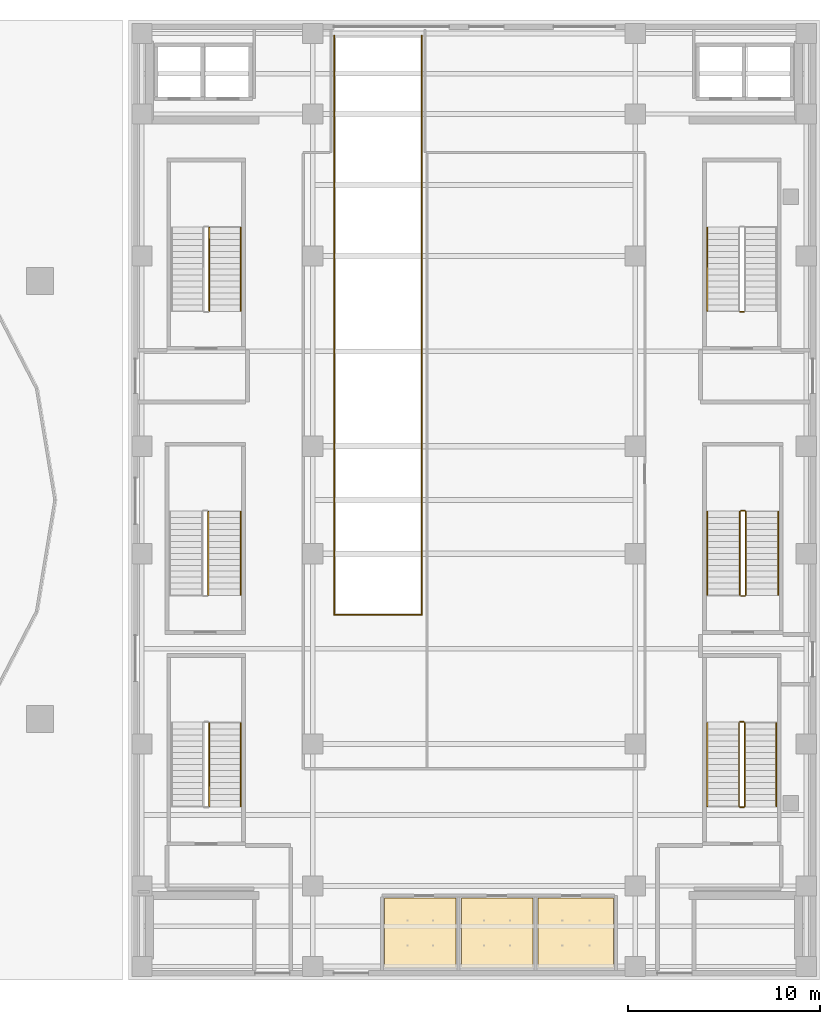
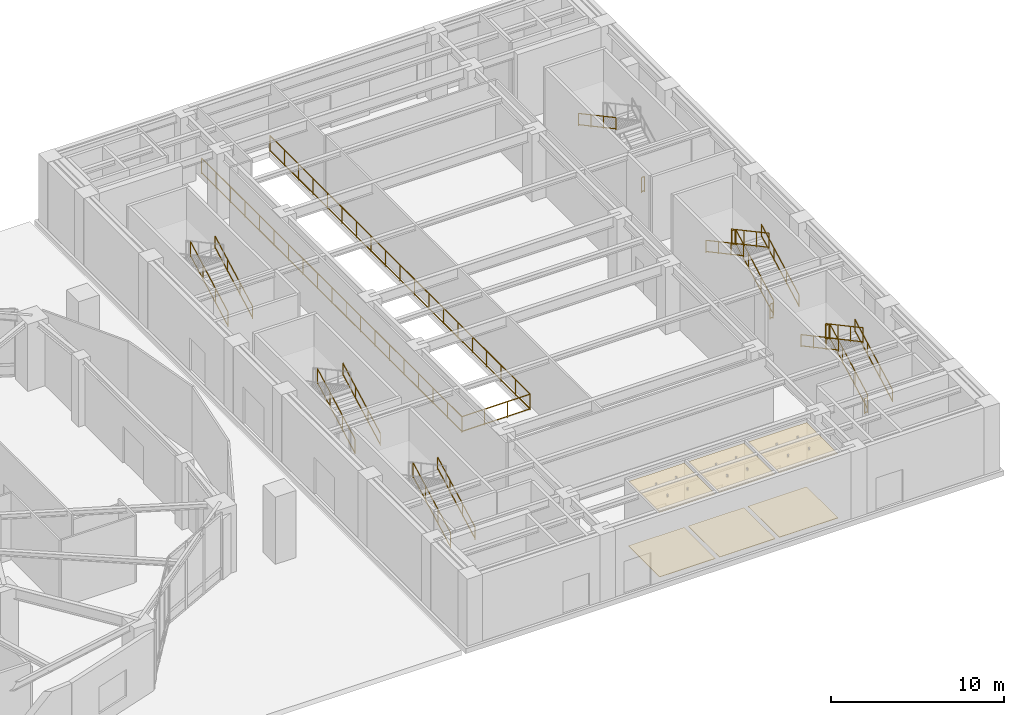
# One storey, part 21 of 23: 23 railings, 6 coverings.
"""IFC4 building model written with IfcOpenShell, lengths in metres."""

from ifc_helpers import new_model, si_unit, direction, frame, origin, origin_2d, place, context, subcontext, project, spatial, polyline, rectangle, outline, extrude, material, layer, layer_set, type_object, element, save


model = new_model("IFC4")

# Units and contexts
model_context = context("Model", 3, precision=1e-05, world=origin(), true_north=direction((0.0, 1.0)))
body_context = subcontext(model_context, "Body", "Model", "MODEL_VIEW")
ifc_project = project(units=[si_unit("LENGTHUNIT", "METRE"), si_unit("AREAUNIT", "SQUARE_METRE"), si_unit("VOLUMEUNIT", "CUBIC_METRE"), si_unit("PLANEANGLEUNIT", "RADIAN"), si_unit("MASSUNIT", "GRAM", prefix="KILO")], contexts=[model_context])

# Site, building, storey
site_placement = place(None, origin())
site = spatial("IfcSite", under=ifc_project, at=site_placement, CompositionType="ELEMENT")
building_placement = place(site_placement, origin())
building = spatial("IfcBuilding", under=site, at=building_placement, Name="Kolvaren Gate Tower and Convention Centre", CompositionType="ELEMENT")
storey_placement = place(building_placement, origin())
storey = spatial("IfcBuildingStorey", under=building, at=storey_placement, Name="L00", CompositionType="ELEMENT", Elevation=0.0)

# Coverings
ifc_material_1 = material(Name="Perforated Mineral-Fibre Acoustic Ceiling Tile 18 mm", Category="gypsum")
ifc_layer_1 = layer(ifc_material_1, 0.01806640625)
ifc_layer_set_1 = layer_set([ifc_layer_1], Name="Perforated Mineral-Fibre Acoustic Ceiling Tile 18 mm")
covering_type_1 = type_object("IfcCoveringType", Name="ARCH-COV-CEIL-18", PredefinedType="CEILING", material=ifc_layer_set_1)
covering_1_placement = place(storey_placement, frame((0.0, 0.0, 4.56005859375)))
element("IfcCovering", 1, at=covering_1_placement, inside=storey, type_object=covering_type_1, Name="Convention L00 Delegate Male Restroom Acoustic Suspended Ceiling", PredefinedType="CEILING", context=body_context, shape_type="SweptSolid", body=[
    extrude(outline(polyline([(75.340087890625, 6.260009765625), (79.06005859375, 6.260009765625), (79.06005859375, 2.639892578125), (75.340087890625, 2.639892578125), (75.340087890625, 6.260009765625)])), origin(), (0.0, 0.0, 1.0), 0.017822265625),
])
covering_2_placement = place(storey_placement, frame((0.0, 0.0, 4.56005859375)))
element("IfcCovering", 2, at=covering_2_placement, inside=storey, type_object=covering_type_1, Name="Convention L00 Accessible Restroom Acoustic Suspended Ceiling", PredefinedType="CEILING", context=body_context, shape_type="SweptSolid", body=[
    extrude(outline(polyline([(79.340087890625, 6.260009765625), (83.06005859375, 6.260009765625), (83.06005859375, 2.639892578125), (79.340087890625, 2.639892578125), (79.340087890625, 6.260009765625)])), origin(), (0.0, 0.0, 1.0), 0.017822265625),
])
covering_3_placement = place(storey_placement, frame((0.0, 0.0, 4.56005859375)))
element("IfcCovering", 3, at=covering_3_placement, inside=storey, type_object=covering_type_1, Name="Convention L00 Delegate Female Restroom Acoustic Suspended Ceiling", PredefinedType="CEILING", context=body_context, shape_type="SweptSolid", body=[
    extrude(outline(polyline([(83.340087890625, 6.260009765625), (87.260009765625, 6.260009765625), (87.260009765625, 2.639892578125), (83.340087890625, 2.639892578125), (83.340087890625, 6.260009765625)])), origin(), (0.0, 0.0, 1.0), 0.017822265625),
])
ifc_material_2 = material(Name="Honed Sabana Limestone Terrazzo Flooring 30 mm", Category="masonry")
ifc_layer_2 = layer(ifc_material_2, 0.030029296875)
ifc_layer_set_2 = layer_set([ifc_layer_2], Name="Honed Sabana Limestone Terrazzo Flooring 30 mm")
covering_type_2 = type_object("IfcCoveringType", Name="ARCH-COV-FLR-30", PredefinedType="FLOORING", material=ifc_layer_set_2)
covering_4_placement = place(storey_placement, origin())
element("IfcCovering", 4, at=covering_4_placement, inside=storey, type_object=covering_type_2, Name="Convention L00 Delegate Male Restroom Interior Finish Flooring", PredefinedType="FLOORING", context=body_context, shape_type="SweptSolid", body=[
    extrude(outline(polyline([(75.340087890625, 6.260009765625), (79.06005859375, 6.260009765625), (79.06005859375, 2.639892578125), (75.340087890625, 2.639892578125), (75.340087890625, 6.260009765625)])), origin(), (0.0, 0.0, 1.0), 0.030029296875),
])
covering_5_placement = place(storey_placement, origin())
element("IfcCovering", 5, at=covering_5_placement, inside=storey, type_object=covering_type_2, Name="Convention L00 Accessible Restroom Interior Finish Flooring", PredefinedType="FLOORING", context=body_context, shape_type="SweptSolid", body=[
    extrude(outline(polyline([(79.340087890625, 6.260009765625), (83.06005859375, 6.260009765625), (83.06005859375, 2.639892578125), (79.340087890625, 2.639892578125), (79.340087890625, 6.260009765625)])), origin(), (0.0, 0.0, 1.0), 0.030029296875),
])
covering_6_placement = place(storey_placement, origin())
element("IfcCovering", 6, at=covering_6_placement, inside=storey, type_object=covering_type_2, Name="Convention L00 Delegate Female Restroom Interior Finish Flooring", PredefinedType="FLOORING", context=body_context, shape_type="SweptSolid", body=[
    extrude(outline(polyline([(83.340087890625, 6.260009765625), (87.260009765625, 6.260009765625), (87.260009765625, 2.639892578125), (83.340087890625, 2.639892578125), (83.340087890625, 6.260009765625)])), origin(), (0.0, 0.0, 1.0), 0.030029296875),
])

# Railings
ifc_material_3 = material(Name="Brushed Stainless Steel Grade 316L", Category="steel")
railing_type_1 = type_object("IfcRailingType", Name="ARCH-RL-GUARD-1150", PredefinedType="GUARDRAIL", material=ifc_material_3)
for number, where, name in (
    (7, (66.199951171875, 36.85009765625, 0.166748046875), "L00 ST-C1 stair guard 1"),
    (8, (66.199951171875, 11.050048828125, 0.166748046875), "L00 ST-C2 stair guard 1"),
):
    element("IfcRailing", number, at=place(storey_placement, frame(where)), inside=storey, type_object=railing_type_1, Name=name, PredefinedType="GUARDRAIL", context=body_context, shape_type="SweptSolid", body=[
        extrude(rectangle(XDim=0.048095703125, YDim=0.048095703125, at=origin_2d()), frame((0.0, 0.0, 1.076171875), z_axis=(0.0, 0.8807748016, 0.47353537235), x_axis=(-1.0, 0.0, 0.0)), (0.0, 0.0, 1.0), 4.92724609375),
        extrude(rectangle(XDim=0.048095703125, YDim=0.048095703125, at=origin_2d()), frame((0.0, 0.0, 0.083984375), z_axis=(0.0, 0.8807748016, 0.47353537235), x_axis=(-1.0, 0.0, 0.0)), (0.0, 0.0, 1.0), 4.92724609375),
        extrude(rectangle(XDim=0.0419921875, YDim=0.0419921875, at=origin_2d()), origin(), (0.0, 0.0, 1.0), 1.050048828125),
        extrude(rectangle(XDim=0.0419921875, YDim=0.0419921875, at=origin_2d()), frame((0.0, 4.33984375, 2.333251953125)), (0.0, 0.0, 1.0), 1.050048828125),
        extrude(rectangle(XDim=0.0419921875, YDim=0.0419921875, at=origin_2d()), frame((0.0, 1.446533203125, 0.77783203125)), (0.0, 0.0, 1.0), 1.050048828125),
        extrude(rectangle(XDim=0.0419921875, YDim=0.0419921875, at=origin_2d()), frame((0.0, 2.893310546875, 1.555419921875)), (0.0, 0.0, 1.0), 1.050048828125),
    ])
railing_1_placement = place(storey_placement, frame((94.050048828125, 36.800048828125, 0.0)))
element("IfcRailing", 9, at=railing_1_placement, inside=storey, type_object=railing_type_1, Name="L00 ST-C3 stair guard 4", PredefinedType="GUARDRAIL", context=body_context, shape_type="SweptSolid", body=[
    extrude(rectangle(XDim=0.048095703125, YDim=0.048095703125, at=origin_2d()), frame((0.0, 0.0, 1.076171875), z_axis=(-1.0, 0.0, 0.0), x_axis=(0.0, -1.0, 0.0)), (0.0, 0.0, 1.0), 0.199951171875),
    extrude(rectangle(XDim=0.048095703125, YDim=0.048095703125, at=origin_2d()), frame((0.0, 0.0, 0.083984375), z_axis=(-1.0, 0.0, 0.0), x_axis=(0.0, -1.0, 0.0)), (0.0, 0.0, 1.0), 0.199951171875),
    extrude(rectangle(XDim=0.0419921875, YDim=0.0419921875, at=origin_2d()), origin(), (0.0, 0.0, 1.0), 1.050048828125),
    extrude(rectangle(XDim=0.0419921875, YDim=0.0419921875, at=origin_2d()), frame((-0.199951171875, 0.0, 0.0)), (0.0, 0.0, 1.0), 1.050048828125),
])
railing_2_placement = place(storey_placement, frame((94.10009765625, 11.050048828125, 0.166748046875)))
element("IfcRailing", 10, at=railing_2_placement, inside=storey, type_object=railing_type_1, Name="L00 ST-C4 stair guard 1", PredefinedType="GUARDRAIL", context=body_context, shape_type="SweptSolid", body=[
    extrude(rectangle(XDim=0.048095703125, YDim=0.048095703125, at=origin_2d()), frame((0.0, 0.0, 1.076171875), z_axis=(0.0, 0.8807748016, 0.47353537235), x_axis=(-1.0, 0.0, 0.0)), (0.0, 0.0, 1.0), 4.92724609375),
    extrude(rectangle(XDim=0.048095703125, YDim=0.048095703125, at=origin_2d()), frame((0.0, 0.0, 0.083984375), z_axis=(0.0, 0.8807748016, 0.47353537235), x_axis=(-1.0, 0.0, 0.0)), (0.0, 0.0, 1.0), 4.92724609375),
    extrude(rectangle(XDim=0.0419921875, YDim=0.0419921875, at=origin_2d()), origin(), (0.0, 0.0, 1.0), 1.050048828125),
    extrude(rectangle(XDim=0.0419921875, YDim=0.0419921875, at=origin_2d()), frame((0.0, 4.33984375, 2.333251953125)), (0.0, 0.0, 1.0), 1.050048828125),
    extrude(rectangle(XDim=0.0419921875, YDim=0.0419921875, at=origin_2d()), frame((0.0, 1.446533203125, 0.77783203125)), (0.0, 0.0, 1.0), 1.050048828125),
    extrude(rectangle(XDim=0.0419921875, YDim=0.0419921875, at=origin_2d()), frame((0.0, 2.893310546875, 1.555419921875)), (0.0, 0.0, 1.0), 1.050048828125),
])
railing_3_placement = place(storey_placement, frame((94.050048828125, 15.43994140625, 2.5)))
element("IfcRailing", 11, at=railing_3_placement, inside=storey, type_object=railing_type_1, Name="L00 ST-C4 stair guard 2", PredefinedType="GUARDRAIL", context=body_context, shape_type="SweptSolid", body=[
    extrude(rectangle(XDim=0.048095703125, YDim=0.048095703125, at=origin_2d()), frame((0.0, 0.0, 1.076171875), z_axis=(-1.0, 0.0, 0.0), x_axis=(0.0, -1.0, 0.0)), (0.0, 0.0, 1.0), 0.199951171875),
    extrude(rectangle(XDim=0.048095703125, YDim=0.048095703125, at=origin_2d()), frame((0.0, 0.0, 0.083984375), z_axis=(-1.0, 0.0, 0.0), x_axis=(0.0, -1.0, 0.0)), (0.0, 0.0, 1.0), 0.199951171875),
    extrude(rectangle(XDim=0.0419921875, YDim=0.0419921875, at=origin_2d()), origin(), (0.0, 0.0, 1.0), 1.050048828125),
    extrude(rectangle(XDim=0.0419921875, YDim=0.0419921875, at=origin_2d()), frame((-0.199951171875, 0.0, 0.0)), (0.0, 0.0, 1.0), 1.050048828125),
])
railing_4_placement = place(storey_placement, frame((93.800048828125, 15.389892578125, 2.666748046875)))
element("IfcRailing", 12, at=railing_4_placement, inside=storey, type_object=railing_type_1, Name="L00 ST-C4 stair guard 3", PredefinedType="GUARDRAIL", context=body_context, shape_type="SweptSolid", body=[
    extrude(rectangle(XDim=0.048095703125, YDim=0.048095703125, at=origin_2d()), frame((0.0, 0.0, 1.076171875), z_axis=(0.0, -0.8807748016, 0.47353537235), x_axis=(1.0, 0.0, 0.0)), (0.0, 0.0, 1.0), 4.92724609375),
    extrude(rectangle(XDim=0.048095703125, YDim=0.048095703125, at=origin_2d()), frame((0.0, 0.0, 0.083984375), z_axis=(0.0, -0.8807748016, 0.47353537235), x_axis=(1.0, 0.0, 0.0)), (0.0, 0.0, 1.0), 4.92724609375),
    extrude(rectangle(XDim=0.0419921875, YDim=0.0419921875, at=origin_2d()), origin(), (0.0, 0.0, 1.0), 1.050048828125),
    extrude(rectangle(XDim=0.0419921875, YDim=0.0419921875, at=origin_2d()), frame((0.0, -4.33984375, 2.333251953125)), (0.0, 0.0, 1.0), 1.050048828125),
    extrude(rectangle(XDim=0.0419921875, YDim=0.0419921875, at=origin_2d()), frame((0.0, -1.446533203125, 0.77783203125)), (0.0, 0.0, 1.0), 1.050048828125),
    extrude(rectangle(XDim=0.0419921875, YDim=0.0419921875, at=origin_2d()), frame((0.0, -2.893310546875, 1.555419921875)), (0.0, 0.0, 1.0), 1.050048828125),
])
railing_5_placement = place(storey_placement, frame((94.050048828125, 11.0, 0.0)))
element("IfcRailing", 13, at=railing_5_placement, inside=storey, type_object=railing_type_1, Name="L00 ST-C4 stair guard 4", PredefinedType="GUARDRAIL", context=body_context, shape_type="SweptSolid", body=[
    extrude(rectangle(XDim=0.048095703125, YDim=0.048095703125, at=origin_2d()), frame((0.0, 0.0, 1.076171875), z_axis=(-1.0, 0.0, 0.0), x_axis=(0.0, -1.0, 0.0)), (0.0, 0.0, 1.0), 0.199951171875),
    extrude(rectangle(XDim=0.048095703125, YDim=0.048095703125, at=origin_2d()), frame((0.0, 0.0, 0.083984375), z_axis=(-1.0, 0.0, 0.0), x_axis=(0.0, -1.0, 0.0)), (0.0, 0.0, 1.0), 0.199951171875),
    extrude(rectangle(XDim=0.0419921875, YDim=0.0419921875, at=origin_2d()), origin(), (0.0, 0.0, 1.0), 1.050048828125),
    extrude(rectangle(XDim=0.0419921875, YDim=0.0419921875, at=origin_2d()), frame((-0.199951171875, 0.0, 0.0)), (0.0, 0.0, 1.0), 1.050048828125),
])
for number, where, name in (
    (14, (66.14990234375, 22.050048828125, 0.166748046875), "L00 ST-C5 stair guard 1"),
    (15, (94.14990234375, 22.050048828125, 0.166748046875), "L00 ST-C6 stair guard 1"),
):
    element("IfcRailing", number, at=place(storey_placement, frame(where)), inside=storey, type_object=railing_type_1, Name=name, PredefinedType="GUARDRAIL", context=body_context, shape_type="SweptSolid", body=[
        extrude(rectangle(XDim=0.048095703125, YDim=0.048095703125, at=origin_2d()), frame((0.0, 0.0, 1.076171875), z_axis=(0.0, 0.8807748016, 0.47353537235), x_axis=(-1.0, 0.0, 0.0)), (0.0, 0.0, 1.0), 4.92724609375),
        extrude(rectangle(XDim=0.048095703125, YDim=0.048095703125, at=origin_2d()), frame((0.0, 0.0, 0.083984375), z_axis=(0.0, 0.8807748016, 0.47353537235), x_axis=(-1.0, 0.0, 0.0)), (0.0, 0.0, 1.0), 4.92724609375),
        extrude(rectangle(XDim=0.0419921875, YDim=0.0419921875, at=origin_2d()), origin(), (0.0, 0.0, 1.0), 1.050048828125),
        extrude(rectangle(XDim=0.0419921875, YDim=0.0419921875, at=origin_2d()), frame((0.0, 4.33984375, 2.333251953125)), (0.0, 0.0, 1.0), 1.050048828125),
        extrude(rectangle(XDim=0.0419921875, YDim=0.0419921875, at=origin_2d()), frame((0.0, 1.446533203125, 0.77783203125)), (0.0, 0.0, 1.0), 1.050048828125),
        extrude(rectangle(XDim=0.0419921875, YDim=0.0419921875, at=origin_2d()), frame((0.0, 2.893310546875, 1.555419921875)), (0.0, 0.0, 1.0), 1.050048828125),
    ])
railing_6_placement = place(storey_placement, frame((94.10009765625, 26.43994140625, 2.5)))
element("IfcRailing", 16, at=railing_6_placement, inside=storey, type_object=railing_type_1, Name="L00 ST-C6 stair guard 2", PredefinedType="GUARDRAIL", context=body_context, shape_type="SweptSolid", body=[
    extrude(rectangle(XDim=0.048095703125, YDim=0.048095703125, at=origin_2d()), frame((0.0, 0.0, 1.076171875), z_axis=(-1.0, 0.0, 0.0), x_axis=(0.0, -1.0, 0.0)), (0.0, 0.0, 1.0), 0.2001953125),
    extrude(rectangle(XDim=0.048095703125, YDim=0.048095703125, at=origin_2d()), frame((0.0, 0.0, 0.083984375), z_axis=(-1.0, 0.0, 0.0), x_axis=(0.0, -1.0, 0.0)), (0.0, 0.0, 1.0), 0.2001953125),
    extrude(rectangle(XDim=0.0419921875, YDim=0.0419921875, at=origin_2d()), origin(), (0.0, 0.0, 1.0), 1.050048828125),
    extrude(rectangle(XDim=0.0419921875, YDim=0.0419921875, at=origin_2d()), frame((-0.2001953125, 0.0, 0.0)), (0.0, 0.0, 1.0), 1.050048828125),
])
railing_7_placement = place(storey_placement, frame((93.85009765625, 26.389892578125, 2.666748046875)))
element("IfcRailing", 17, at=railing_7_placement, inside=storey, type_object=railing_type_1, Name="L00 ST-C6 stair guard 3", PredefinedType="GUARDRAIL", context=body_context, shape_type="SweptSolid", body=[
    extrude(rectangle(XDim=0.048095703125, YDim=0.048095703125, at=origin_2d()), frame((0.0, 0.0, 1.076171875), z_axis=(0.0, -0.8807748016, 0.47353537235), x_axis=(1.0, 0.0, 0.0)), (0.0, 0.0, 1.0), 4.92724609375),
    extrude(rectangle(XDim=0.048095703125, YDim=0.048095703125, at=origin_2d()), frame((0.0, 0.0, 0.083984375), z_axis=(0.0, -0.8807748016, 0.47353537235), x_axis=(1.0, 0.0, 0.0)), (0.0, 0.0, 1.0), 4.92724609375),
    extrude(rectangle(XDim=0.0419921875, YDim=0.0419921875, at=origin_2d()), origin(), (0.0, 0.0, 1.0), 1.050048828125),
    extrude(rectangle(XDim=0.0419921875, YDim=0.0419921875, at=origin_2d()), frame((0.0, -4.33984375, 2.333251953125)), (0.0, 0.0, 1.0), 1.050048828125),
    extrude(rectangle(XDim=0.0419921875, YDim=0.0419921875, at=origin_2d()), frame((0.0, -1.446533203125, 0.77783203125)), (0.0, 0.0, 1.0), 1.050048828125),
    extrude(rectangle(XDim=0.0419921875, YDim=0.0419921875, at=origin_2d()), frame((0.0, -2.893310546875, 1.555419921875)), (0.0, 0.0, 1.0), 1.050048828125),
])
railing_8_placement = place(storey_placement, frame((94.10009765625, 22.0, 0.0)))
element("IfcRailing", 18, at=railing_8_placement, inside=storey, type_object=railing_type_1, Name="L00 ST-C6 stair guard 4", PredefinedType="GUARDRAIL", context=body_context, shape_type="SweptSolid", body=[
    extrude(rectangle(XDim=0.048095703125, YDim=0.048095703125, at=origin_2d()), frame((0.0, 0.0, 1.076171875), z_axis=(-1.0, 0.0, 0.0), x_axis=(0.0, -1.0, 0.0)), (0.0, 0.0, 1.0), 0.2001953125),
    extrude(rectangle(XDim=0.048095703125, YDim=0.048095703125, at=origin_2d()), frame((0.0, 0.0, 0.083984375), z_axis=(-1.0, 0.0, 0.0), x_axis=(0.0, -1.0, 0.0)), (0.0, 0.0, 1.0), 0.2001953125),
    extrude(rectangle(XDim=0.0419921875, YDim=0.0419921875, at=origin_2d()), origin(), (0.0, 0.0, 1.0), 1.050048828125),
    extrude(rectangle(XDim=0.0419921875, YDim=0.0419921875, at=origin_2d()), frame((-0.2001953125, 0.0, 0.0)), (0.0, 0.0, 1.0), 1.050048828125),
])
railing_9_placement = place(storey_placement, frame((72.719970703125, 21.02001953125, 0.0)))
element("IfcRailing", 19, at=railing_9_placement, inside=storey, type_object=railing_type_1, Name="Basement B1 to Ground Car Park Vehicle Ramp Slab R1 Floor Opening Perimeter Guardrail 1", PredefinedType="GUARDRAIL", context=body_context, shape_type="SweptSolid", body=[
    extrude(rectangle(XDim=0.048095703125, YDim=0.048095703125, at=origin_2d()), frame((0.0, 0.0, 1.1259765625), z_axis=(0.0, 1.0, 0.0), x_axis=(-1.0, 0.0, 0.0)), (0.0, 0.0, 1.0), 30.159912109375),
    extrude(rectangle(XDim=0.048095703125, YDim=0.048095703125, at=origin_2d()), frame((0.0, 0.0, 0.083984375), z_axis=(0.0, 1.0, 0.0), x_axis=(-1.0, 0.0, 0.0)), (0.0, 0.0, 1.0), 30.159912109375),
    extrude(rectangle(XDim=0.0419921875, YDim=0.0419921875, at=origin_2d()), origin(), (0.0, 0.0, 1.0), 1.099853515625),
    extrude(rectangle(XDim=0.0419921875, YDim=0.0419921875, at=origin_2d()), frame((0.0, 30.159912109375, 0.0)), (0.0, 0.0, 1.0), 1.099853515625),
    extrude(rectangle(XDim=0.0419921875, YDim=0.0419921875, at=origin_2d()), frame((0.0, 1.675537109375, 0.0)), (0.0, 0.0, 1.0), 1.099853515625),
    extrude(rectangle(XDim=0.0419921875, YDim=0.0419921875, at=origin_2d()), frame((0.0, 3.35107421875, 0.0)), (0.0, 0.0, 1.0), 1.099853515625),
    extrude(rectangle(XDim=0.0419921875, YDim=0.0419921875, at=origin_2d()), frame((0.0, 5.026611328125, 0.0)), (0.0, 0.0, 1.0), 1.099853515625),
    extrude(rectangle(XDim=0.0419921875, YDim=0.0419921875, at=origin_2d()), frame((0.0, 6.7021484375, 0.0)), (0.0, 0.0, 1.0), 1.099853515625),
    extrude(rectangle(XDim=0.0419921875, YDim=0.0419921875, at=origin_2d()), frame((0.0, 8.377685546875, 0.0)), (0.0, 0.0, 1.0), 1.099853515625),
    extrude(rectangle(XDim=0.0419921875, YDim=0.0419921875, at=origin_2d()), frame((0.0, 10.05322265625, 0.0)), (0.0, 0.0, 1.0), 1.099853515625),
    extrude(rectangle(XDim=0.0419921875, YDim=0.0419921875, at=origin_2d()), frame((0.0, 11.728759765625, 0.0)), (0.0, 0.0, 1.0), 1.099853515625),
    extrude(rectangle(XDim=0.0419921875, YDim=0.0419921875, at=origin_2d()), frame((0.0, 13.404296875, 0.0)), (0.0, 0.0, 1.0), 1.099853515625),
    extrude(rectangle(XDim=0.0419921875, YDim=0.0419921875, at=origin_2d()), frame((0.0, 15.080078125, 0.0)), (0.0, 0.0, 1.0), 1.099853515625),
    extrude(rectangle(XDim=0.0419921875, YDim=0.0419921875, at=origin_2d()), frame((0.0, 16.755615234375, 0.0)), (0.0, 0.0, 1.0), 1.099853515625),
    extrude(rectangle(XDim=0.0419921875, YDim=0.0419921875, at=origin_2d()), frame((0.0, 18.43115234375, 0.0)), (0.0, 0.0, 1.0), 1.099853515625),
    extrude(rectangle(XDim=0.0419921875, YDim=0.0419921875, at=origin_2d()), frame((0.0, 20.106689453125, 0.0)), (0.0, 0.0, 1.0), 1.099853515625),
    extrude(rectangle(XDim=0.0419921875, YDim=0.0419921875, at=origin_2d()), frame((0.0, 21.7822265625, 0.0)), (0.0, 0.0, 1.0), 1.099853515625),
    extrude(rectangle(XDim=0.0419921875, YDim=0.0419921875, at=origin_2d()), frame((0.0, 23.457763671875, 0.0)), (0.0, 0.0, 1.0), 1.099853515625),
    extrude(rectangle(XDim=0.0419921875, YDim=0.0419921875, at=origin_2d()), frame((0.0, 25.13330078125, 0.0)), (0.0, 0.0, 1.0), 1.099853515625),
    extrude(rectangle(XDim=0.0419921875, YDim=0.0419921875, at=origin_2d()), frame((0.0, 26.808837890625, 0.0)), (0.0, 0.0, 1.0), 1.099853515625),
    extrude(rectangle(XDim=0.0419921875, YDim=0.0419921875, at=origin_2d()), frame((0.0, 28.484375, 0.0)), (0.0, 0.0, 1.0), 1.099853515625),
])
railing_10_placement = place(storey_placement, frame((77.280029296875, 21.02001953125, 0.0)))
element("IfcRailing", 20, at=railing_10_placement, inside=storey, type_object=railing_type_1, Name="Basement B1 to Ground Car Park Vehicle Ramp Slab R1 Floor Opening Perimeter Guardrail 2", PredefinedType="GUARDRAIL", context=body_context, shape_type="SweptSolid", body=[
    extrude(rectangle(XDim=0.048095703125, YDim=0.048095703125, at=origin_2d()), frame((0.0, 0.0, 1.1259765625), z_axis=(0.0, 1.0, 0.0), x_axis=(-1.0, 0.0, 0.0)), (0.0, 0.0, 1.0), 30.159912109375),
    extrude(rectangle(XDim=0.048095703125, YDim=0.048095703125, at=origin_2d()), frame((0.0, 0.0, 0.083984375), z_axis=(0.0, 1.0, 0.0), x_axis=(-1.0, 0.0, 0.0)), (0.0, 0.0, 1.0), 30.159912109375),
    extrude(rectangle(XDim=0.0419921875, YDim=0.0419921875, at=origin_2d()), origin(), (0.0, 0.0, 1.0), 1.099853515625),
    extrude(rectangle(XDim=0.0419921875, YDim=0.0419921875, at=origin_2d()), frame((0.0, 30.159912109375, 0.0)), (0.0, 0.0, 1.0), 1.099853515625),
    extrude(rectangle(XDim=0.0419921875, YDim=0.0419921875, at=origin_2d()), frame((0.0, 1.675537109375, 0.0)), (0.0, 0.0, 1.0), 1.099853515625),
    extrude(rectangle(XDim=0.0419921875, YDim=0.0419921875, at=origin_2d()), frame((0.0, 3.35107421875, 0.0)), (0.0, 0.0, 1.0), 1.099853515625),
    extrude(rectangle(XDim=0.0419921875, YDim=0.0419921875, at=origin_2d()), frame((0.0, 5.026611328125, 0.0)), (0.0, 0.0, 1.0), 1.099853515625),
    extrude(rectangle(XDim=0.0419921875, YDim=0.0419921875, at=origin_2d()), frame((0.0, 6.7021484375, 0.0)), (0.0, 0.0, 1.0), 1.099853515625),
    extrude(rectangle(XDim=0.0419921875, YDim=0.0419921875, at=origin_2d()), frame((0.0, 8.377685546875, 0.0)), (0.0, 0.0, 1.0), 1.099853515625),
    extrude(rectangle(XDim=0.0419921875, YDim=0.0419921875, at=origin_2d()), frame((0.0, 10.05322265625, 0.0)), (0.0, 0.0, 1.0), 1.099853515625),
    extrude(rectangle(XDim=0.0419921875, YDim=0.0419921875, at=origin_2d()), frame((0.0, 11.728759765625, 0.0)), (0.0, 0.0, 1.0), 1.099853515625),
    extrude(rectangle(XDim=0.0419921875, YDim=0.0419921875, at=origin_2d()), frame((0.0, 13.404296875, 0.0)), (0.0, 0.0, 1.0), 1.099853515625),
    extrude(rectangle(XDim=0.0419921875, YDim=0.0419921875, at=origin_2d()), frame((0.0, 15.080078125, 0.0)), (0.0, 0.0, 1.0), 1.099853515625),
    extrude(rectangle(XDim=0.0419921875, YDim=0.0419921875, at=origin_2d()), frame((0.0, 16.755615234375, 0.0)), (0.0, 0.0, 1.0), 1.099853515625),
    extrude(rectangle(XDim=0.0419921875, YDim=0.0419921875, at=origin_2d()), frame((0.0, 18.43115234375, 0.0)), (0.0, 0.0, 1.0), 1.099853515625),
    extrude(rectangle(XDim=0.0419921875, YDim=0.0419921875, at=origin_2d()), frame((0.0, 20.106689453125, 0.0)), (0.0, 0.0, 1.0), 1.099853515625),
    extrude(rectangle(XDim=0.0419921875, YDim=0.0419921875, at=origin_2d()), frame((0.0, 21.7822265625, 0.0)), (0.0, 0.0, 1.0), 1.099853515625),
    extrude(rectangle(XDim=0.0419921875, YDim=0.0419921875, at=origin_2d()), frame((0.0, 23.457763671875, 0.0)), (0.0, 0.0, 1.0), 1.099853515625),
    extrude(rectangle(XDim=0.0419921875, YDim=0.0419921875, at=origin_2d()), frame((0.0, 25.13330078125, 0.0)), (0.0, 0.0, 1.0), 1.099853515625),
    extrude(rectangle(XDim=0.0419921875, YDim=0.0419921875, at=origin_2d()), frame((0.0, 26.808837890625, 0.0)), (0.0, 0.0, 1.0), 1.099853515625),
    extrude(rectangle(XDim=0.0419921875, YDim=0.0419921875, at=origin_2d()), frame((0.0, 28.484375, 0.0)), (0.0, 0.0, 1.0), 1.099853515625),
])
railing_11_placement = place(storey_placement, frame((72.719970703125, 21.02001953125, 0.0)))
element("IfcRailing", 21, at=railing_11_placement, inside=storey, type_object=railing_type_1, Name="Basement B1 to Ground Car Park Vehicle Ramp Slab R1 Floor Opening Perimeter Guardrail 3", PredefinedType="GUARDRAIL", context=body_context, shape_type="SweptSolid", body=[
    extrude(rectangle(XDim=0.048095703125, YDim=0.048095703125, at=origin_2d()), frame((0.0, 0.0, 1.1259765625), z_axis=(1.0, 0.0, 0.0), x_axis=(0.0, 1.0, 0.0)), (0.0, 0.0, 1.0), 4.56005859375),
    extrude(rectangle(XDim=0.048095703125, YDim=0.048095703125, at=origin_2d()), frame((0.0, 0.0, 0.083984375), z_axis=(1.0, 0.0, 0.0), x_axis=(0.0, 1.0, 0.0)), (0.0, 0.0, 1.0), 4.56005859375),
    extrude(rectangle(XDim=0.0419921875, YDim=0.0419921875, at=origin_2d()), origin(), (0.0, 0.0, 1.0), 1.099853515625),
    extrude(rectangle(XDim=0.0419921875, YDim=0.0419921875, at=origin_2d()), frame((4.56005859375, 0.0, 0.0)), (0.0, 0.0, 1.0), 1.099853515625),
    extrude(rectangle(XDim=0.0419921875, YDim=0.0419921875, at=origin_2d()), frame((1.52001953125, 0.0, 0.0)), (0.0, 0.0, 1.0), 1.099853515625),
    extrude(rectangle(XDim=0.0419921875, YDim=0.0419921875, at=origin_2d()), frame((3.0400390625, 0.0, 0.0)), (0.0, 0.0, 1.0), 1.099853515625),
])
railing_type_2 = type_object("IfcRailingType", Name="ARCH-RL-HANDRAIL-920", PredefinedType="HANDRAIL", material=ifc_material_3)
for number, where, name in (
    (22, (67.85009765625, 36.85009765625, 0.166748046875), "L00 ST-C1 stair handrail 1"),
    (23, (67.85009765625, 11.050048828125, 0.166748046875), "L00 ST-C2 stair handrail 1"),
):
    element("IfcRailing", number, at=place(storey_placement, frame(where)), inside=storey, type_object=railing_type_2, Name=name, PredefinedType="HANDRAIL", context=body_context, shape_type="SweptSolid", body=[
        extrude(rectangle(XDim=0.048095703125, YDim=0.048095703125, at=origin_2d()), frame((0.0, 0.0, 0.8759765625), z_axis=(0.0, 0.8807748016, 0.47353537235), x_axis=(-1.0, 0.0, 0.0)), (0.0, 0.0, 1.0), 4.92724609375),
        extrude(rectangle(XDim=0.048095703125, YDim=0.048095703125, at=origin_2d()), frame((0.0, 0.0, 0.083984375), z_axis=(0.0, 0.8807748016, 0.47353537235), x_axis=(-1.0, 0.0, 0.0)), (0.0, 0.0, 1.0), 4.92724609375),
        extrude(rectangle(XDim=0.0419921875, YDim=0.0419921875, at=origin_2d()), origin(), (0.0, 0.0, 1.0), 0.849853515625),
        extrude(rectangle(XDim=0.0419921875, YDim=0.0419921875, at=origin_2d()), frame((0.0, 4.33984375, 2.333251953125)), (0.0, 0.0, 1.0), 0.849853515625),
        extrude(rectangle(XDim=0.0419921875, YDim=0.0419921875, at=origin_2d()), frame((0.0, 1.446533203125, 0.77783203125)), (0.0, 0.0, 1.0), 0.849853515625),
        extrude(rectangle(XDim=0.0419921875, YDim=0.0419921875, at=origin_2d()), frame((0.0, 2.893310546875, 1.555419921875)), (0.0, 0.0, 1.0), 0.849853515625),
    ])
railing_12_placement = place(storey_placement, frame((92.14990234375, 41.18994140625, 2.666748046875)))
element("IfcRailing", 24, at=railing_12_placement, inside=storey, type_object=railing_type_2, Name="L00 ST-C3 stair handrail 2", PredefinedType="HANDRAIL", context=body_context, shape_type="SweptSolid", body=[
    extrude(rectangle(XDim=0.048095703125, YDim=0.048095703125, at=origin_2d()), frame((0.0, 0.0, 0.8759765625), z_axis=(0.0, -0.8807748016, 0.47353537235), x_axis=(1.0, 0.0, 0.0)), (0.0, 0.0, 1.0), 4.92724609375),
    extrude(rectangle(XDim=0.048095703125, YDim=0.048095703125, at=origin_2d()), frame((0.0, 0.0, 0.083984375), z_axis=(0.0, -0.8807748016, 0.47353537235), x_axis=(1.0, 0.0, 0.0)), (0.0, 0.0, 1.0), 4.92724609375),
    extrude(rectangle(XDim=0.0419921875, YDim=0.0419921875, at=origin_2d()), origin(), (0.0, 0.0, 1.0), 0.849853515625),
    extrude(rectangle(XDim=0.0419921875, YDim=0.0419921875, at=origin_2d()), frame((0.0, -4.33984375, 2.333251953125)), (0.0, 0.0, 1.0), 0.849853515625),
    extrude(rectangle(XDim=0.0419921875, YDim=0.0419921875, at=origin_2d()), frame((0.0, -1.446533203125, 0.77783203125)), (0.0, 0.0, 1.0), 0.849853515625),
    extrude(rectangle(XDim=0.0419921875, YDim=0.0419921875, at=origin_2d()), frame((0.0, -2.893310546875, 1.555419921875)), (0.0, 0.0, 1.0), 0.849853515625),
])
railing_13_placement = place(storey_placement, frame((95.75, 11.050048828125, 0.166748046875)))
element("IfcRailing", 25, at=railing_13_placement, inside=storey, type_object=railing_type_2, Name="L00 ST-C4 stair handrail 1", PredefinedType="HANDRAIL", context=body_context, shape_type="SweptSolid", body=[
    extrude(rectangle(XDim=0.048095703125, YDim=0.048095703125, at=origin_2d()), frame((0.0, 0.0, 0.8759765625), z_axis=(0.0, 0.8807748016, 0.47353537235), x_axis=(-1.0, 0.0, 0.0)), (0.0, 0.0, 1.0), 4.92724609375),
    extrude(rectangle(XDim=0.048095703125, YDim=0.048095703125, at=origin_2d()), frame((0.0, 0.0, 0.083984375), z_axis=(0.0, 0.8807748016, 0.47353537235), x_axis=(-1.0, 0.0, 0.0)), (0.0, 0.0, 1.0), 4.92724609375),
    extrude(rectangle(XDim=0.0419921875, YDim=0.0419921875, at=origin_2d()), origin(), (0.0, 0.0, 1.0), 0.849853515625),
    extrude(rectangle(XDim=0.0419921875, YDim=0.0419921875, at=origin_2d()), frame((0.0, 4.33984375, 2.333251953125)), (0.0, 0.0, 1.0), 0.849853515625),
    extrude(rectangle(XDim=0.0419921875, YDim=0.0419921875, at=origin_2d()), frame((0.0, 1.446533203125, 0.77783203125)), (0.0, 0.0, 1.0), 0.849853515625),
    extrude(rectangle(XDim=0.0419921875, YDim=0.0419921875, at=origin_2d()), frame((0.0, 2.893310546875, 1.555419921875)), (0.0, 0.0, 1.0), 0.849853515625),
])
railing_14_placement = place(storey_placement, frame((92.14990234375, 15.389892578125, 2.666748046875)))
element("IfcRailing", 26, at=railing_14_placement, inside=storey, type_object=railing_type_2, Name="L00 ST-C4 stair handrail 2", PredefinedType="HANDRAIL", context=body_context, shape_type="SweptSolid", body=[
    extrude(rectangle(XDim=0.048095703125, YDim=0.048095703125, at=origin_2d()), frame((0.0, 0.0, 0.8759765625), z_axis=(0.0, -0.8807748016, 0.47353537235), x_axis=(1.0, 0.0, 0.0)), (0.0, 0.0, 1.0), 4.92724609375),
    extrude(rectangle(XDim=0.048095703125, YDim=0.048095703125, at=origin_2d()), frame((0.0, 0.0, 0.083984375), z_axis=(0.0, -0.8807748016, 0.47353537235), x_axis=(1.0, 0.0, 0.0)), (0.0, 0.0, 1.0), 4.92724609375),
    extrude(rectangle(XDim=0.0419921875, YDim=0.0419921875, at=origin_2d()), origin(), (0.0, 0.0, 1.0), 0.849853515625),
    extrude(rectangle(XDim=0.0419921875, YDim=0.0419921875, at=origin_2d()), frame((0.0, -4.33984375, 2.333251953125)), (0.0, 0.0, 1.0), 0.849853515625),
    extrude(rectangle(XDim=0.0419921875, YDim=0.0419921875, at=origin_2d()), frame((0.0, -1.446533203125, 0.77783203125)), (0.0, 0.0, 1.0), 0.849853515625),
    extrude(rectangle(XDim=0.0419921875, YDim=0.0419921875, at=origin_2d()), frame((0.0, -2.893310546875, 1.555419921875)), (0.0, 0.0, 1.0), 0.849853515625),
])
for number, where, name in (
    (27, (67.85009765625, 22.050048828125, 0.166748046875), "L00 ST-C5 stair handrail 1"),
    (28, (95.85009765625, 22.050048828125, 0.166748046875), "L00 ST-C6 stair handrail 1"),
):
    element("IfcRailing", number, at=place(storey_placement, frame(where)), inside=storey, type_object=railing_type_2, Name=name, PredefinedType="HANDRAIL", context=body_context, shape_type="SweptSolid", body=[
        extrude(rectangle(XDim=0.048095703125, YDim=0.048095703125, at=origin_2d()), frame((0.0, 0.0, 0.8759765625), z_axis=(0.0, 0.8807748016, 0.47353537235), x_axis=(-1.0, 0.0, 0.0)), (0.0, 0.0, 1.0), 4.92724609375),
        extrude(rectangle(XDim=0.048095703125, YDim=0.048095703125, at=origin_2d()), frame((0.0, 0.0, 0.083984375), z_axis=(0.0, 0.8807748016, 0.47353537235), x_axis=(-1.0, 0.0, 0.0)), (0.0, 0.0, 1.0), 4.92724609375),
        extrude(rectangle(XDim=0.0419921875, YDim=0.0419921875, at=origin_2d()), origin(), (0.0, 0.0, 1.0), 0.849853515625),
        extrude(rectangle(XDim=0.0419921875, YDim=0.0419921875, at=origin_2d()), frame((0.0, 4.33984375, 2.333251953125)), (0.0, 0.0, 1.0), 0.849853515625),
        extrude(rectangle(XDim=0.0419921875, YDim=0.0419921875, at=origin_2d()), frame((0.0, 1.446533203125, 0.77783203125)), (0.0, 0.0, 1.0), 0.849853515625),
        extrude(rectangle(XDim=0.0419921875, YDim=0.0419921875, at=origin_2d()), frame((0.0, 2.893310546875, 1.555419921875)), (0.0, 0.0, 1.0), 0.849853515625),
    ])
railing_15_placement = place(storey_placement, frame((92.14990234375, 26.389892578125, 2.666748046875)))
element("IfcRailing", 29, at=railing_15_placement, inside=storey, type_object=railing_type_2, Name="L00 ST-C6 stair handrail 2", PredefinedType="HANDRAIL", context=body_context, shape_type="SweptSolid", body=[
    extrude(rectangle(XDim=0.048095703125, YDim=0.048095703125, at=origin_2d()), frame((0.0, 0.0, 0.8759765625), z_axis=(0.0, -0.8807748016, 0.47353537235), x_axis=(1.0, 0.0, 0.0)), (0.0, 0.0, 1.0), 4.92724609375),
    extrude(rectangle(XDim=0.048095703125, YDim=0.048095703125, at=origin_2d()), frame((0.0, 0.0, 0.083984375), z_axis=(0.0, -0.8807748016, 0.47353537235), x_axis=(1.0, 0.0, 0.0)), (0.0, 0.0, 1.0), 4.92724609375),
    extrude(rectangle(XDim=0.0419921875, YDim=0.0419921875, at=origin_2d()), origin(), (0.0, 0.0, 1.0), 0.849853515625),
    extrude(rectangle(XDim=0.0419921875, YDim=0.0419921875, at=origin_2d()), frame((0.0, -4.33984375, 2.333251953125)), (0.0, 0.0, 1.0), 0.849853515625),
    extrude(rectangle(XDim=0.0419921875, YDim=0.0419921875, at=origin_2d()), frame((0.0, -1.446533203125, 0.77783203125)), (0.0, 0.0, 1.0), 0.849853515625),
    extrude(rectangle(XDim=0.0419921875, YDim=0.0419921875, at=origin_2d()), frame((0.0, -2.893310546875, 1.555419921875)), (0.0, 0.0, 1.0), 0.849853515625),
])

save(model, "model.ifc")
